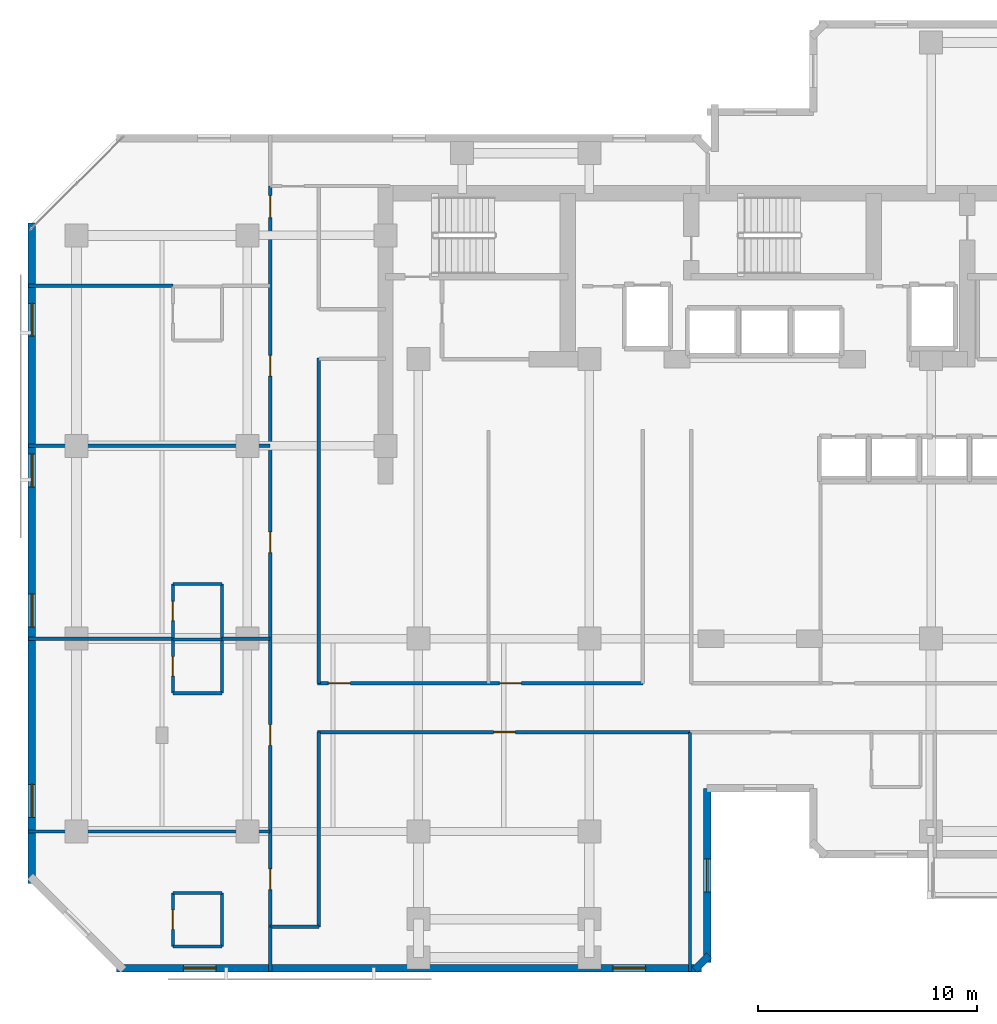
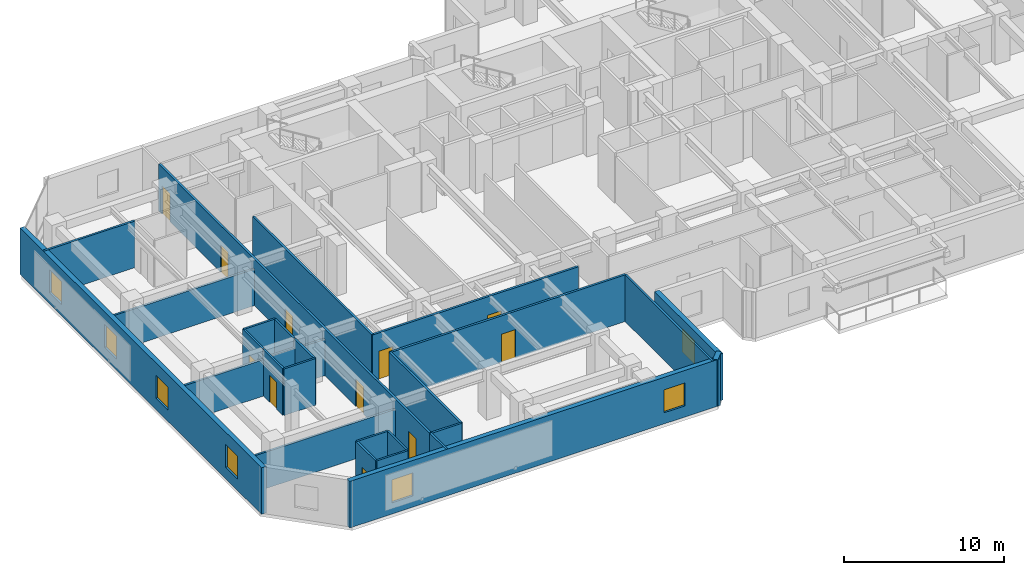
# One storey, part 5 of 11: 28 walls, 11 doors, 7 windows, 18 openings.
"""IFC4 building model written with IfcOpenShell, lengths in metres."""

from ifc_helpers import new_model, si_unit, direction, frame, frame_2d, origin, place, context, subcontext, project, spatial, rectangle, extrude, material, layer, layer_set, type_object, element, fill, save


model = new_model("IFC4")

# Units and contexts
model_context = context("Model", 3, precision=1e-05, world=origin(), true_north=direction((0.0, 1.0)))
body_context = subcontext(model_context, "Body", "Model", "MODEL_VIEW")
ifc_project = project(units=[si_unit("LENGTHUNIT", "METRE"), si_unit("AREAUNIT", "SQUARE_METRE"), si_unit("VOLUMEUNIT", "CUBIC_METRE"), si_unit("PLANEANGLEUNIT", "RADIAN"), si_unit("MASSUNIT", "GRAM", prefix="KILO")], contexts=[model_context])

# Site, building, storey
site_placement = place(None, origin())
site = spatial("IfcSite", under=ifc_project, at=site_placement, CompositionType="ELEMENT")
building_placement = place(site_placement, origin())
building = spatial("IfcBuilding", under=site, at=building_placement, Name="Kestravale Grand Hotel", CompositionType="ELEMENT")
storey_placement = place(building_placement, frame((0.0, 0.0, 157.39990234375)))
storey = spatial("IfcBuildingStorey", under=building, at=storey_placement, Name="L39", CompositionType="ELEMENT", Elevation=157.39990234375)

# Wall, openings, windows
ifc_material_1 = material(Name="Precast concrete f'c 45 MPa", Category="concrete")
ifc_layer_1 = layer(ifc_material_1, 0.340087890625)
ifc_layer_set_1 = layer_set([ifc_layer_1], Name="EW-PREC-340")
wall_type_1 = type_object("IfcWallType", Name="EW-PREC-340", PredefinedType="SOLIDWALL", material=ifc_layer_set_1)
wall_1_placement = place(storey_placement, frame((9.6298828125, 4.969970703125, 0.0), z_axis=(0.0, 0.0, 1.0), x_axis=(1.0, 0.0, 0.0)))
wall_1 = element("IfcWall", 1, at=wall_1_placement, inside=storey, type_object=wall_type_1, Name="L39 fluted precast facade wall 1", PredefinedType="SOLIDWALL", context=body_context, shape_type="SweptSolid", body=[
    extrude(rectangle(XDim=26.690185546875, YDim=0.340087890625, at=frame_2d((13.34521484375, 0.0))), origin(), (0.0, 0.0, 1.0), 3.550048828125),
])
opening_1_placement = place(wall_1_placement, frame((3.04833984375, 0.0, 0.85009765625)))
opening_1 = element("IfcOpeningElement", 2, at=opening_1_placement, cuts=wall_1, Name="Opening W-GUEST-1500", PredefinedType="OPENING", context=body_context, shape_type="SweptSolid", body=[
    extrude(rectangle(XDim=1.5, YDim=1.75, at=frame_2d((0.75, 0.875))), frame((0.0, 0.179931640625, 0.0), z_axis=(0.0, -1.0, 0.0), x_axis=(1.0, 0.0, 0.0)), (0.0, 0.0, 1.0), 0.360107421875),
])
opening_2_placement = place(wall_1_placement, frame((22.6416015625, 0.0, 0.85009765625)))
opening_2 = element("IfcOpeningElement", 3, at=opening_2_placement, cuts=wall_1, Name="Opening W-GUEST-1500", PredefinedType="OPENING", context=body_context, shape_type="SweptSolid", body=[
    extrude(rectangle(XDim=1.5, YDim=1.75, at=frame_2d((0.75, 0.875))), frame((0.0, 0.179931640625, 0.0), z_axis=(0.0, -1.0, 0.0), x_axis=(1.0, 0.0, 0.0)), (0.0, 0.0, 1.0), 0.360107421875),
])
ifc_material_2 = material(Name="Insulated low-E double glazing in aluminium frame", Category="aluminium")
window_type = type_object("IfcWindowType", Name="W-GUEST-1500", PartitioningType="SINGLE_PANEL", PredefinedType="WINDOW", material=ifc_material_2)
window_1_placement = place(opening_1_placement, origin())
window_1 = element("IfcWindow", 4, at=window_1_placement, inside=storey, type_object=window_type, Name="L39 exterior window 1.1", OverallHeight=1.75, OverallWidth=1.5, PartitioningType="SINGLE_PANEL", PredefinedType="WINDOW", context=body_context, shape_type="SweptSolid", body=[
    extrude(rectangle(XDim=1.5, YDim=1.75, at=frame_2d((0.75, 0.875))), frame((0.0, 0.030029296875, 0.0), z_axis=(0.0, -1.0, 0.0), x_axis=(1.0, 0.0, 0.0)), (0.0, 0.0, 1.0), 0.06005859375),
])
fill(opening_1, window_1)
window_2_placement = place(opening_2_placement, origin())
window_2 = element("IfcWindow", 5, at=window_2_placement, inside=storey, type_object=window_type, Name="L39 exterior window 1.2", OverallHeight=1.75, OverallWidth=1.5, PartitioningType="SINGLE_PANEL", PredefinedType="WINDOW", context=body_context, shape_type="SweptSolid", body=[
    extrude(rectangle(XDim=1.5, YDim=1.75, at=frame_2d((0.75, 0.875))), frame((0.0, 0.030029296875, 0.0), z_axis=(0.0, -1.0, 0.0), x_axis=(1.0, 0.0, 0.0)), (0.0, 0.0, 1.0), 0.06005859375),
])
fill(opening_2, window_2)

# Wall
wall_2_placement = place(storey_placement, frame((36.00146484375, 4.891845703125, 0.0), z_axis=(0.0, 0.0, 1.0), x_axis=(0.707106781187, 0.707106781187, 0.0)))
element("IfcWall", 6, at=wall_2_placement, inside=storey, type_object=wall_type_1, Name="L39 fluted precast facade wall 2", PredefinedType="SOLIDWALL", context=body_context, shape_type="SweptSolid", body=[
    extrude(rectangle(XDim=0.9287109375, YDim=0.340087890625, at=frame_2d((0.46435546875, 0.0))), origin(), (0.0, 0.0, 1.0), 3.550048828125),
])

# Wall, opening, window
wall_3_placement = place(storey_placement, frame((36.580078125, 5.22998046875, 0.0), z_axis=(0.0, 0.0, 1.0), x_axis=(0.0, 1.0, 0.0)))
wall_3 = element("IfcWall", 7, at=wall_3_placement, inside=storey, type_object=wall_type_1, Name="L39 fluted precast facade wall 3", PredefinedType="SOLIDWALL", context=body_context, shape_type="SweptSolid", body=[
    extrude(rectangle(XDim=7.93994140625, YDim=0.340087890625, at=frame_2d((3.969970703125, 0.0))), origin(), (0.0, 0.0, 1.0), 3.550048828125),
])
opening_3_placement = place(wall_3_placement, frame((3.219970703125, 0.0, 0.85009765625)))
opening_3 = element("IfcOpeningElement", 8, at=opening_3_placement, cuts=wall_3, Name="Opening W-GUEST-1500", PredefinedType="OPENING", context=body_context, shape_type="SweptSolid", body=[
    extrude(rectangle(XDim=1.5, YDim=1.75, at=frame_2d((0.75, 0.875))), frame((0.0, 0.179931640625, 0.0), z_axis=(0.0, -1.0, 0.0), x_axis=(1.0, 0.0, 0.0)), (0.0, 0.0, 1.0), 0.360107421875),
])
window_3_placement = place(opening_3_placement, origin())
window_3 = element("IfcWindow", 9, at=window_3_placement, inside=storey, type_object=window_type, Name="L39 exterior window 3.1", OverallHeight=1.75, OverallWidth=1.5, PartitioningType="SINGLE_PANEL", PredefinedType="WINDOW", context=body_context, shape_type="SweptSolid", body=[
    extrude(rectangle(XDim=1.5, YDim=1.75, at=frame_2d((0.75, 0.875))), frame((0.0, 0.030029296875, 0.0), z_axis=(0.0, -1.0, 0.0), x_axis=(1.0, 0.0, 0.0)), (0.0, 0.0, 1.0), 0.06005859375),
])
fill(opening_3, window_3)

# Wall, openings, windows
wall_4_placement = place(storey_placement, frame((5.77001953125, 38.969970703125, 0.0), z_axis=(0.0, 0.0, 1.0), x_axis=(0.0, -1.0, 0.0)))
wall_4 = element("IfcWall", 10, at=wall_4_placement, inside=storey, type_object=wall_type_1, Name="L39 fluted precast facade wall 19", PredefinedType="SOLIDWALL", context=body_context, shape_type="SweptSolid", body=[
    extrude(rectangle(XDim=30.139892578125, YDim=0.340087890625, at=frame_2d((15.06982421875, 0.0))), origin(), (0.0, 0.0, 1.0), 3.550048828125),
])
opening_4_placement = place(wall_4_placement, frame((3.66748046875, 0.0, 0.85009765625)))
opening_4 = element("IfcOpeningElement", 11, at=opening_4_placement, cuts=wall_4, Name="Opening W-GUEST-1500", PredefinedType="OPENING", context=body_context, shape_type="SweptSolid", body=[
    extrude(rectangle(XDim=1.5, YDim=1.75, at=frame_2d((0.75, 0.875))), frame((0.0, 0.179931640625, 0.0), z_axis=(0.0, -1.0, 0.0), x_axis=(1.0, 0.0, 0.0)), (0.0, 0.0, 1.0), 0.360107421875),
])
opening_5_placement = place(wall_4_placement, frame((10.552490234375, 0.0, 0.85009765625)))
opening_5 = element("IfcOpeningElement", 12, at=opening_5_placement, cuts=wall_4, Name="Opening W-GUEST-1500", PredefinedType="OPENING", context=body_context, shape_type="SweptSolid", body=[
    extrude(rectangle(XDim=1.5, YDim=1.75, at=frame_2d((0.75, 0.875))), frame((0.0, 0.179931640625, 0.0), z_axis=(0.0, -1.0, 0.0), x_axis=(1.0, 0.0, 0.0)), (0.0, 0.0, 1.0), 0.360107421875),
])
opening_6_placement = place(wall_4_placement, frame((16.9375, 0.0, 0.85009765625)))
opening_6 = element("IfcOpeningElement", 13, at=opening_6_placement, cuts=wall_4, Name="Opening W-GUEST-1500", PredefinedType="OPENING", context=body_context, shape_type="SweptSolid", body=[
    extrude(rectangle(XDim=1.5, YDim=1.75, at=frame_2d((0.75, 0.875))), frame((0.0, 0.179931640625, 0.0), z_axis=(0.0, -1.0, 0.0), x_axis=(1.0, 0.0, 0.0)), (0.0, 0.0, 1.0), 0.360107421875),
])
opening_7_placement = place(wall_4_placement, frame((25.62255859375, 0.0, 0.85009765625)))
opening_7 = element("IfcOpeningElement", 14, at=opening_7_placement, cuts=wall_4, Name="Opening W-GUEST-1500", PredefinedType="OPENING", context=body_context, shape_type="SweptSolid", body=[
    extrude(rectangle(XDim=1.5, YDim=1.75, at=frame_2d((0.75, 0.875))), frame((0.0, 0.179931640625, 0.0), z_axis=(0.0, -1.0, 0.0), x_axis=(1.0, 0.0, 0.0)), (0.0, 0.0, 1.0), 0.360107421875),
])
window_4_placement = place(opening_4_placement, origin())
window_4 = element("IfcWindow", 15, at=window_4_placement, inside=storey, type_object=window_type, Name="L39 exterior window 19.1", OverallHeight=1.75, OverallWidth=1.5, PartitioningType="SINGLE_PANEL", PredefinedType="WINDOW", context=body_context, shape_type="SweptSolid", body=[
    extrude(rectangle(XDim=1.5, YDim=1.75, at=frame_2d((0.75, 0.875))), frame((0.0, 0.030029296875, 0.0), z_axis=(0.0, -1.0, 0.0), x_axis=(1.0, 0.0, 0.0)), (0.0, 0.0, 1.0), 0.06005859375),
])
fill(opening_4, window_4)
window_5_placement = place(opening_5_placement, origin())
window_5 = element("IfcWindow", 16, at=window_5_placement, inside=storey, type_object=window_type, Name="L39 exterior window 19.2", OverallHeight=1.75, OverallWidth=1.5, PartitioningType="SINGLE_PANEL", PredefinedType="WINDOW", context=body_context, shape_type="SweptSolid", body=[
    extrude(rectangle(XDim=1.5, YDim=1.75, at=frame_2d((0.75, 0.875))), frame((0.0, 0.030029296875, 0.0), z_axis=(0.0, -1.0, 0.0), x_axis=(1.0, 0.0, 0.0)), (0.0, 0.0, 1.0), 0.06005859375),
])
fill(opening_5, window_5)
window_6_placement = place(opening_6_placement, origin())
window_6 = element("IfcWindow", 17, at=window_6_placement, inside=storey, type_object=window_type, Name="L39 exterior window 19.3", OverallHeight=1.75, OverallWidth=1.5, PartitioningType="SINGLE_PANEL", PredefinedType="WINDOW", context=body_context, shape_type="SweptSolid", body=[
    extrude(rectangle(XDim=1.5, YDim=1.75, at=frame_2d((0.75, 0.875))), frame((0.0, 0.030029296875, 0.0), z_axis=(0.0, -1.0, 0.0), x_axis=(1.0, 0.0, 0.0)), (0.0, 0.0, 1.0), 0.06005859375),
])
fill(opening_6, window_6)
window_7_placement = place(opening_7_placement, origin())
window_7 = element("IfcWindow", 18, at=window_7_placement, inside=storey, type_object=window_type, Name="L39 exterior window 19.4", OverallHeight=1.75, OverallWidth=1.5, PartitioningType="SINGLE_PANEL", PredefinedType="WINDOW", context=body_context, shape_type="SweptSolid", body=[
    extrude(rectangle(XDim=1.5, YDim=1.75, at=frame_2d((0.75, 0.875))), frame((0.0, 0.030029296875, 0.0), z_axis=(0.0, -1.0, 0.0), x_axis=(1.0, 0.0, 0.0)), (0.0, 0.0, 1.0), 0.06005859375),
])
fill(opening_7, window_7)

# Wall, openings, doors
ifc_material_3 = material(Name="Acoustic fire-rated gypsum board partition", Category="other")
ifc_layer_2 = layer(ifc_material_3, 0.159912109375)
ifc_layer_set_2 = layer_set([ifc_layer_2], Name="IW-CORR-160")
wall_type_2 = type_object("IfcWallType", Name="IW-CORR-160", PredefinedType="PARTITIONING", material=ifc_layer_set_2)
wall_5_placement = place(storey_placement, frame((18.800048828125, 17.9599609375, 0.0), z_axis=(0.0, 0.0, 1.0), x_axis=(1.0, 0.0, 0.0)))
wall_5 = element("IfcWall", 19, at=wall_5_placement, inside=storey, type_object=wall_type_2, Name="W-L39-CW-N", PredefinedType="PARTITIONING", context=body_context, shape_type="SweptSolid", body=[
    extrude(rectangle(XDim=14.849853515625, YDim=0.159912109375, at=frame_2d((7.4248046875, 0.0))), origin(), (0.0, 0.0, 1.0), 3.550048828125),
])
opening_8_placement = place(wall_5_placement, frame((0.5, 0.0, 0.0)))
opening_8 = element("IfcOpeningElement", 20, at=opening_8_placement, cuts=wall_5, Name="Opening D-GUEST-1000", PredefinedType="OPENING", context=body_context, shape_type="SweptSolid", body=[
    extrude(rectangle(XDim=1.0, YDim=2.14990234375, at=frame_2d((0.5, 1.074951171875))), frame((0.0, 0.08984375, 0.0), z_axis=(0.0, -1.0, 0.0), x_axis=(1.0, 0.0, 0.0)), (0.0, 0.0, 1.0), 0.179931640625),
])
opening_9_placement = place(wall_5_placement, frame((8.300048828125, 0.0, 0.0)))
opening_9 = element("IfcOpeningElement", 21, at=opening_9_placement, cuts=wall_5, Name="Opening D-GUEST-1000", PredefinedType="OPENING", context=body_context, shape_type="SweptSolid", body=[
    extrude(rectangle(XDim=1.0, YDim=2.14990234375, at=frame_2d((0.5, 1.074951171875))), frame((0.0, 0.08984375, 0.0), z_axis=(0.0, -1.0, 0.0), x_axis=(1.0, 0.0, 0.0)), (0.0, 0.0, 1.0), 0.179931640625),
])
ifc_material_4 = material(Name="Accessible walnut veneer hotel entrance fire door", Category="wood")
door_type_1 = type_object("IfcDoorType", Name="D-GUEST-1000", OperationType="NOTDEFINED", PredefinedType="DOOR", material=ifc_material_4)
door_1_placement = place(opening_8_placement, origin())
door_1 = element("IfcDoor", 22, at=door_1_placement, inside=storey, type_object=door_type_1, Name="D-L39-RECL-W1", OperationType="SINGLE_SWING_RIGHT", OverallHeight=2.14990234375, OverallWidth=1.0, PredefinedType="DOOR", context=body_context, shape_type="SweptSolid", body=[
    extrude(rectangle(XDim=1.0, YDim=2.14990234375, at=frame_2d((0.5, 1.074951171875))), frame((0.0, 0.02490234375, 0.0), z_axis=(0.0, -1.0, 0.0), x_axis=(1.0, 0.0, 0.0)), (0.0, 0.0, 1.0), 0.050048828125),
])
fill(opening_8, door_1)
door_2_placement = place(opening_9_placement, origin())
door_2 = element("IfcDoor", 23, at=door_2_placement, inside=storey, type_object=door_type_1, Name="D-L39-RECL-W2", OperationType="SINGLE_SWING_LEFT", OverallHeight=2.14990234375, OverallWidth=1.0, PredefinedType="DOOR", context=body_context, shape_type="SweptSolid", body=[
    extrude(rectangle(XDim=1.0, YDim=2.14990234375, at=frame_2d((0.5, 1.074951171875))), frame((0.0, 0.02490234375, 0.0), z_axis=(0.0, -1.0, 0.0), x_axis=(1.0, 0.0, 0.0)), (0.0, 0.0, 1.0), 0.050048828125),
])
fill(opening_9, door_2)

# Wall, opening, door
wall_6_placement = place(storey_placement, frame((18.800048828125, 15.739990234375, 0.0), z_axis=(0.0, 0.0, 1.0), x_axis=(1.0, 0.0, 0.0)))
wall_6 = element("IfcWall", 24, at=wall_6_placement, inside=storey, type_object=wall_type_2, Name="W-L39-CW-S", PredefinedType="PARTITIONING", context=body_context, shape_type="SweptSolid", body=[
    extrude(rectangle(XDim=17.0, YDim=0.159912109375, at=frame_2d((8.5, 0.0))), origin(), (0.0, 0.0, 1.0), 3.550048828125),
])
opening_10_placement = place(wall_6_placement, frame((8.030029296875, 0.0, 0.0)))
opening_10 = element("IfcOpeningElement", 25, at=opening_10_placement, cuts=wall_6, Name="Opening D-GUEST-1000", PredefinedType="OPENING", context=body_context, shape_type="SweptSolid", body=[
    extrude(rectangle(XDim=1.0, YDim=2.14990234375, at=frame_2d((0.5, 1.074951171875))), frame((0.0, 0.08984375, 0.0), z_axis=(0.0, -1.0, 0.0), x_axis=(1.0, 0.0, 0.0)), (0.0, 0.0, 1.0), 0.179931640625),
])
door_3_placement = place(opening_10_placement, origin())
door_3 = element("IfcDoor", 26, at=door_3_placement, inside=storey, type_object=door_type_1, Name="D-L39-AMW", OperationType="SINGLE_SWING_RIGHT", OverallHeight=2.14990234375, OverallWidth=1.0, PredefinedType="DOOR", context=body_context, shape_type="SweptSolid", body=[
    extrude(rectangle(XDim=1.0, YDim=2.14990234375, at=frame_2d((0.5, 1.074951171875))), frame((0.0, 0.02490234375, 0.0), z_axis=(0.0, -1.0, 0.0), x_axis=(1.0, 0.0, 0.0)), (0.0, 0.0, 1.0), 0.050048828125),
])
fill(opening_10, door_3)

# Wall, openings, doors
wall_7_placement = place(storey_placement, frame((16.639892578125, 6.85009765625, 0.0), z_axis=(0.0, 0.0, 1.0), x_axis=(0.0, 1.0, 0.0)))
wall_7 = element("IfcWall", 27, at=wall_7_placement, inside=storey, type_object=wall_type_2, Name="W-L39-SW-W", PredefinedType="PARTITIONING", context=body_context, shape_type="SweptSolid", body=[
    extrude(rectangle(XDim=33.7998046875, YDim=0.159912109375, at=frame_2d((16.89990234375, 0.0))), origin(), (0.0, 0.0, 1.0), 3.550048828125),
])
opening_11_placement = place(wall_7_placement, frame((1.699951171875, 0.0, 0.0)))
opening_11 = element("IfcOpeningElement", 28, at=opening_11_placement, cuts=wall_7, Name="Opening D-GUEST-950", PredefinedType="OPENING", context=body_context, shape_type="SweptSolid", body=[
    extrude(rectangle(XDim=0.949951171875, YDim=2.10009765625, at=frame_2d((0.47509765625, 1.050048828125))), frame((0.0, 0.08984375, 0.0), z_axis=(0.0, -1.0, 0.0), x_axis=(1.0, 0.0, 0.0)), (0.0, 0.0, 1.0), 0.179931640625),
])
opening_12_placement = place(wall_7_placement, frame((8.27490234375, 0.0, 0.0)))
opening_12 = element("IfcOpeningElement", 29, at=opening_12_placement, cuts=wall_7, Name="Opening D-GUEST-950", PredefinedType="OPENING", context=body_context, shape_type="SweptSolid", body=[
    extrude(rectangle(XDim=0.949951171875, YDim=2.10009765625, at=frame_2d((0.47509765625, 1.050048828125))), frame((0.0, 0.08984375, 0.0), z_axis=(0.0, -1.0, 0.0), x_axis=(1.0, 0.0, 0.0)), (0.0, 0.0, 1.0), 0.179931640625),
])
opening_13_placement = place(wall_7_placement, frame((17.074951171875, 0.0, 0.0)))
opening_13 = element("IfcOpeningElement", 30, at=opening_13_placement, cuts=wall_7, Name="Opening D-GUEST-950", PredefinedType="OPENING", context=body_context, shape_type="SweptSolid", body=[
    extrude(rectangle(XDim=0.949951171875, YDim=2.10009765625, at=frame_2d((0.47509765625, 1.050048828125))), frame((0.0, 0.08984375, 0.0), z_axis=(0.0, -1.0, 0.0), x_axis=(1.0, 0.0, 0.0)), (0.0, 0.0, 1.0), 0.179931640625),
])
opening_14_placement = place(wall_7_placement, frame((25.125, 0.0, 0.0)))
opening_14 = element("IfcOpeningElement", 31, at=opening_14_placement, cuts=wall_7, Name="Opening D-GUEST-950", PredefinedType="OPENING", context=body_context, shape_type="SweptSolid", body=[
    extrude(rectangle(XDim=0.949951171875, YDim=2.10009765625, at=frame_2d((0.47509765625, 1.050048828125))), frame((0.0, 0.08984375, 0.0), z_axis=(0.0, -1.0, 0.0), x_axis=(1.0, 0.0, 0.0)), (0.0, 0.0, 1.0), 0.179931640625),
])
opening_15_placement = place(wall_7_placement, frame((32.360107421875, 0.0, 0.0)))
opening_15 = element("IfcOpeningElement", 32, at=opening_15_placement, cuts=wall_7, Name="Opening D-GUEST-1000", PredefinedType="OPENING", context=body_context, shape_type="SweptSolid", body=[
    extrude(rectangle(XDim=1.0, YDim=2.14990234375, at=frame_2d((0.5, 1.074951171875))), frame((0.0, 0.08984375, 0.0), z_axis=(0.0, -1.0, 0.0), x_axis=(1.0, 0.0, 0.0)), (0.0, 0.0, 1.0), 0.179931640625),
])
door_4_placement = place(opening_15_placement, origin())
door_4 = element("IfcDoor", 33, at=door_4_placement, inside=storey, type_object=door_type_1, Name="D-L39-AMWW", OperationType="SINGLE_SWING_RIGHT", OverallHeight=2.14990234375, OverallWidth=1.0, PredefinedType="DOOR", context=body_context, shape_type="SweptSolid", body=[
    extrude(rectangle(XDim=1.0, YDim=2.14990234375, at=frame_2d((0.5, 1.074951171875))), frame((0.0, 0.02490234375, 0.0), z_axis=(0.0, -1.0, 0.0), x_axis=(1.0, 0.0, 0.0)), (0.0, 0.0, 1.0), 0.050048828125),
])
fill(opening_15, door_4)
ifc_material_5 = material(Name="Walnut veneer hotel guestroom entrance fire door", Category="wood")
door_type_2 = type_object("IfcDoorType", Name="D-GUEST-950", OperationType="NOTDEFINED", PredefinedType="DOOR", material=ifc_material_5)
door_5_placement = place(opening_11_placement, origin())
door_5 = element("IfcDoor", 34, at=door_5_placement, inside=storey, type_object=door_type_2, Name="D-L39-U02-ENT", OperationType="SINGLE_SWING_LEFT", OverallHeight=2.10009765625, OverallWidth=0.949951171875, PredefinedType="DOOR", context=body_context, shape_type="SweptSolid", body=[
    extrude(rectangle(XDim=0.949951171875, YDim=2.10009765625, at=frame_2d((0.47509765625, 1.050048828125))), frame((0.0, 0.02490234375, 0.0), z_axis=(0.0, -1.0, 0.0), x_axis=(1.0, 0.0, 0.0)), (0.0, 0.0, 1.0), 0.050048828125),
])
fill(opening_11, door_5)
door_6_placement = place(opening_12_placement, origin())
door_6 = element("IfcDoor", 35, at=door_6_placement, inside=storey, type_object=door_type_2, Name="D-L39-U03-ENT", OperationType="SINGLE_SWING_LEFT", OverallHeight=2.10009765625, OverallWidth=0.949951171875, PredefinedType="DOOR", context=body_context, shape_type="SweptSolid", body=[
    extrude(rectangle(XDim=0.949951171875, YDim=2.10009765625, at=frame_2d((0.47509765625, 1.050048828125))), frame((0.0, 0.02490234375, 0.0), z_axis=(0.0, -1.0, 0.0), x_axis=(1.0, 0.0, 0.0)), (0.0, 0.0, 1.0), 0.050048828125),
])
fill(opening_12, door_6)
door_7_placement = place(opening_13_placement, origin())
door_7 = element("IfcDoor", 36, at=door_7_placement, inside=storey, type_object=door_type_2, Name="D-L39-U04-ENT", OperationType="SINGLE_SWING_LEFT", OverallHeight=2.10009765625, OverallWidth=0.949951171875, PredefinedType="DOOR", context=body_context, shape_type="SweptSolid", body=[
    extrude(rectangle(XDim=0.949951171875, YDim=2.10009765625, at=frame_2d((0.47509765625, 1.050048828125))), frame((0.0, 0.02490234375, 0.0), z_axis=(0.0, -1.0, 0.0), x_axis=(1.0, 0.0, 0.0)), (0.0, 0.0, 1.0), 0.050048828125),
])
fill(opening_13, door_7)
door_8_placement = place(opening_14_placement, origin())
door_8 = element("IfcDoor", 37, at=door_8_placement, inside=storey, type_object=door_type_2, Name="D-L39-U05-ENT", OperationType="SINGLE_SWING_LEFT", OverallHeight=2.10009765625, OverallWidth=0.949951171875, PredefinedType="DOOR", context=body_context, shape_type="SweptSolid", body=[
    extrude(rectangle(XDim=0.949951171875, YDim=2.10009765625, at=frame_2d((0.47509765625, 1.050048828125))), frame((0.0, 0.02490234375, 0.0), z_axis=(0.0, -1.0, 0.0), x_axis=(1.0, 0.0, 0.0)), (0.0, 0.0, 1.0), 0.050048828125),
])
fill(opening_14, door_8)

# Wall
wall_8_placement = place(storey_placement, frame((18.860107421875, 6.85009765625, 0.0), z_axis=(0.0, 0.0, 1.0), x_axis=(0.0, 1.0, 0.0)))
element("IfcWall", 38, at=wall_8_placement, inside=storey, type_object=wall_type_2, Name="W-L39-SW-E", PredefinedType="PARTITIONING", context=body_context, shape_type="SweptSolid", body=[
    extrude(rectangle(XDim=8.889892578125, YDim=0.159912109375, at=frame_2d((4.44482421875, 0.0))), origin(), (0.0, 0.0, 1.0), 3.550048828125),
])

# Wall, opening, door
ifc_material_6 = material(Name="Moisture-resistant tile-backer plumbing chase wall", Category="other")
ifc_layer_3 = layer(ifc_material_6, 0.139892578125)
ifc_layer_set_3 = layer_set([ifc_layer_3], Name="IW-PLB-140")
wall_type_3 = type_object("IfcWallType", Name="IW-PLB-140", PredefinedType="PLUMBINGWALL", material=ifc_layer_set_3)
wall_9_placement = place(storey_placement, frame((12.199951171875, 5.949951171875, 0.0), z_axis=(0.0, 0.0, 1.0), x_axis=(0.0, 1.0, 0.0)))
wall_9 = element("IfcWall", 39, at=wall_9_placement, inside=storey, type_object=wall_type_3, Name="W-L39-U02-BW", PredefinedType="PLUMBINGWALL", context=body_context, shape_type="SweptSolid", body=[
    extrude(rectangle(XDim=2.449951171875, YDim=0.139892578125, at=frame_2d((1.22509765625, 0.0))), origin(), (0.0, 0.0, 1.0), 3.550048828125),
])
opening_16_placement = place(wall_9_placement, frame((0.784912109375, 0.0, 0.0)))
opening_16 = element("IfcOpeningElement", 40, at=opening_16_placement, cuts=wall_9, Name="Opening D-BATH-880", PredefinedType="OPENING", context=body_context, shape_type="SweptSolid", body=[
    extrude(rectangle(XDim=0.8798828125, YDim=2.050048828125, at=frame_2d((0.43994140625, 1.02490234375))), frame((0.0, 0.079833984375, 0.0), z_axis=(0.0, -1.0, 0.0), x_axis=(1.0, 0.0, 0.0)), (0.0, 0.0, 1.0), 0.159912109375),
])
ifc_material_7 = material(Name="Moisture-sealed walnut en-suite bathroom door", Category="wood")
door_type_3 = type_object("IfcDoorType", Name="D-BATH-880", OperationType="NOTDEFINED", PredefinedType="DOOR", material=ifc_material_7)
door_9_placement = place(opening_16_placement, origin())
door_9 = element("IfcDoor", 41, at=door_9_placement, inside=storey, type_object=door_type_3, Name="D-L39-U02-BATH", OperationType="SINGLE_SWING_RIGHT", OverallHeight=2.050048828125, OverallWidth=0.8798828125, PredefinedType="DOOR", context=body_context, shape_type="SweptSolid", body=[
    extrude(rectangle(XDim=0.8798828125, YDim=2.050048828125, at=frame_2d((0.43994140625, 1.02490234375))), frame((0.0, 0.02490234375, 0.0), z_axis=(0.0, -1.0, 0.0), x_axis=(1.0, 0.0, 0.0)), (0.0, 0.0, 1.0), 0.050048828125),
])
fill(opening_16, door_9)

# Walls
wall_10_placement = place(storey_placement, frame((14.449951171875, 5.949951171875, 0.0), z_axis=(0.0, 0.0, 1.0), x_axis=(0.0, 1.0, 0.0)))
element("IfcWall", 42, at=wall_10_placement, inside=storey, type_object=wall_type_3, Name="W-L39-U02-BE", PredefinedType="PLUMBINGWALL", context=body_context, shape_type="SweptSolid", body=[
    extrude(rectangle(XDim=2.449951171875, YDim=0.139892578125, at=frame_2d((1.22509765625, 0.0))), origin(), (0.0, 0.0, 1.0), 3.550048828125),
])
for number, where, z_axis, x_axis, name in (
    (43, (12.199951171875, 5.949951171875, 0.0), (0.0, 0.0, 1.0), (1.0, 0.0, 0.0), "W-L39-U02-BS"),
    (44, (12.199951171875, 8.39990234375, 0.0), (0.0, 0.0, 1.0), (1.0, 0.0, 0.0), "W-L39-U02-BN"),
):
    element("IfcWall", number, at=place(storey_placement, frame(where, z_axis=z_axis, x_axis=x_axis)), inside=storey, type_object=wall_type_3, Name=name, PredefinedType="PLUMBINGWALL", context=body_context, shape_type="SweptSolid", body=[
        extrude(rectangle(XDim=2.25, YDim=0.139892578125, at=frame_2d((1.125, 0.0))), origin(), (0.0, 0.0, 1.0), 3.550048828125),
    ])

# Wall, opening, door
wall_11_placement = place(storey_placement, frame((12.199951171875, 17.510009765625, 0.0), z_axis=(0.0, 0.0, 1.0), x_axis=(0.0, 1.0, 0.0)))
wall_11 = element("IfcWall", 45, at=wall_11_placement, inside=storey, type_object=wall_type_3, Name="W-L39-U03-BW", PredefinedType="PLUMBINGWALL", context=body_context, shape_type="SweptSolid", body=[
    extrude(rectangle(XDim=2.449951171875, YDim=0.139892578125, at=frame_2d((1.22509765625, 0.0))), origin(), (0.0, 0.0, 1.0), 3.550048828125),
])
opening_17_placement = place(wall_11_placement, frame((0.784912109375, 0.0, 0.0)))
opening_17 = element("IfcOpeningElement", 46, at=opening_17_placement, cuts=wall_11, Name="Opening D-BATH-880", PredefinedType="OPENING", context=body_context, shape_type="SweptSolid", body=[
    extrude(rectangle(XDim=0.8798828125, YDim=2.050048828125, at=frame_2d((0.43994140625, 1.02490234375))), frame((0.0, 0.079833984375, 0.0), z_axis=(0.0, -1.0, 0.0), x_axis=(1.0, 0.0, 0.0)), (0.0, 0.0, 1.0), 0.159912109375),
])
door_10_placement = place(opening_17_placement, origin())
door_10 = element("IfcDoor", 47, at=door_10_placement, inside=storey, type_object=door_type_3, Name="D-L39-U03-BATH", OperationType="SINGLE_SWING_RIGHT", OverallHeight=2.050048828125, OverallWidth=0.8798828125, PredefinedType="DOOR", context=body_context, shape_type="SweptSolid", body=[
    extrude(rectangle(XDim=0.8798828125, YDim=2.050048828125, at=frame_2d((0.43994140625, 1.02490234375))), frame((0.0, 0.02490234375, 0.0), z_axis=(0.0, -1.0, 0.0), x_axis=(1.0, 0.0, 0.0)), (0.0, 0.0, 1.0), 0.050048828125),
])
fill(opening_17, door_10)

# Walls
wall_12_placement = place(storey_placement, frame((14.449951171875, 17.510009765625, 0.0), z_axis=(0.0, 0.0, 1.0), x_axis=(0.0, 1.0, 0.0)))
element("IfcWall", 48, at=wall_12_placement, inside=storey, type_object=wall_type_3, Name="W-L39-U03-BE", PredefinedType="PLUMBINGWALL", context=body_context, shape_type="SweptSolid", body=[
    extrude(rectangle(XDim=2.449951171875, YDim=0.139892578125, at=frame_2d((1.22509765625, 0.0))), origin(), (0.0, 0.0, 1.0), 3.550048828125),
])
wall_13_placement = place(storey_placement, frame((12.199951171875, 17.510009765625, 0.0), z_axis=(0.0, 0.0, 1.0), x_axis=(1.0, 0.0, 0.0)))
element("IfcWall", 49, at=wall_13_placement, inside=storey, type_object=wall_type_3, Name="W-L39-U03-BS", PredefinedType="PLUMBINGWALL", context=body_context, shape_type="SweptSolid", body=[
    extrude(rectangle(XDim=2.25, YDim=0.139892578125, at=frame_2d((1.125, 0.0))), origin(), (0.0, 0.0, 1.0), 3.550048828125),
])
wall_14_placement = place(storey_placement, frame((12.199951171875, 19.9599609375, 0.0), z_axis=(0.0, 0.0, 1.0), x_axis=(1.0, 0.0, 0.0)))
element("IfcWall", 50, at=wall_14_placement, inside=storey, type_object=wall_type_3, Name="W-L39-U03-BN", PredefinedType="PLUMBINGWALL", context=body_context, shape_type="SweptSolid", body=[
    extrude(rectangle(XDim=2.25, YDim=0.139892578125, at=frame_2d((1.125, 0.0))), origin(), (0.0, 0.0, 1.0), 2.900146484375),
])

# Wall, opening, door
wall_15_placement = place(storey_placement, frame((12.199951171875, 20.0400390625, 0.0), z_axis=(0.0, 0.0, 1.0), x_axis=(0.0, 1.0, 0.0)))
wall_15 = element("IfcWall", 51, at=wall_15_placement, inside=storey, type_object=wall_type_3, Name="W-L39-U04-BW", PredefinedType="PLUMBINGWALL", context=body_context, shape_type="SweptSolid", body=[
    extrude(rectangle(XDim=2.449951171875, YDim=0.139892578125, at=frame_2d((1.22509765625, 0.0))), origin(), (0.0, 0.0, 1.0), 3.550048828125),
])
opening_18_placement = place(wall_15_placement, frame((0.784912109375, 0.0, 0.0)))
opening_18 = element("IfcOpeningElement", 52, at=opening_18_placement, cuts=wall_15, Name="Opening D-BATH-880", PredefinedType="OPENING", context=body_context, shape_type="SweptSolid", body=[
    extrude(rectangle(XDim=0.8798828125, YDim=2.050048828125, at=frame_2d((0.43994140625, 1.02490234375))), frame((0.0, 0.079833984375, 0.0), z_axis=(0.0, -1.0, 0.0), x_axis=(1.0, 0.0, 0.0)), (0.0, 0.0, 1.0), 0.159912109375),
])
door_11_placement = place(opening_18_placement, origin())
door_11 = element("IfcDoor", 53, at=door_11_placement, inside=storey, type_object=door_type_3, Name="D-L39-U04-BATH", OperationType="SINGLE_SWING_RIGHT", OverallHeight=2.050048828125, OverallWidth=0.8798828125, PredefinedType="DOOR", context=body_context, shape_type="SweptSolid", body=[
    extrude(rectangle(XDim=0.8798828125, YDim=2.050048828125, at=frame_2d((0.43994140625, 1.02490234375))), frame((0.0, 0.02490234375, 0.0), z_axis=(0.0, -1.0, 0.0), x_axis=(1.0, 0.0, 0.0)), (0.0, 0.0, 1.0), 0.050048828125),
])
fill(opening_18, door_11)

# Walls
wall_16_placement = place(storey_placement, frame((14.449951171875, 20.0400390625, 0.0), z_axis=(0.0, 0.0, 1.0), x_axis=(0.0, 1.0, 0.0)))
element("IfcWall", 54, at=wall_16_placement, inside=storey, type_object=wall_type_3, Name="W-L39-U04-BE", PredefinedType="PLUMBINGWALL", context=body_context, shape_type="SweptSolid", body=[
    extrude(rectangle(XDim=2.449951171875, YDim=0.139892578125, at=frame_2d((1.22509765625, 0.0))), origin(), (0.0, 0.0, 1.0), 3.550048828125),
])
wall_17_placement = place(storey_placement, frame((12.199951171875, 22.489990234375, 0.0), z_axis=(0.0, 0.0, 1.0), x_axis=(1.0, 0.0, 0.0)))
element("IfcWall", 55, at=wall_17_placement, inside=storey, type_object=wall_type_3, Name="W-L39-U04-BN", PredefinedType="PLUMBINGWALL", context=body_context, shape_type="SweptSolid", body=[
    extrude(rectangle(XDim=2.25, YDim=0.139892578125, at=frame_2d((1.125, 0.0))), origin(), (0.0, 0.0, 1.0), 3.550048828125),
])
ifc_material_8 = material(Name="Double-stud STC 52 acoustic demising partition", Category="other")
ifc_layer_4 = layer(ifc_material_8, 0.14990234375)
ifc_layer_set_4 = layer_set([ifc_layer_4], Name="IW-UNIT-150")
wall_type_4 = type_object("IfcWallType", Name="IW-UNIT-150", PredefinedType="PARTITIONING", material=ifc_layer_set_4)
wall_18_placement = place(storey_placement, frame((16.639892578125, 6.85009765625, 0.0), z_axis=(0.0, 0.0, 1.0), x_axis=(1.0, 0.0, 0.0)))
element("IfcWall", 56, at=wall_18_placement, inside=storey, type_object=wall_type_4, Name="W-L39-SW-S", PredefinedType="PARTITIONING", context=body_context, shape_type="SweptSolid", body=[
    extrude(rectangle(XDim=2.22021484375, YDim=0.14990234375, at=frame_2d((1.110107421875, 0.0))), origin(), (0.0, 0.0, 1.0), 3.550048828125),
])
wall_19_placement = place(storey_placement, frame((18.860107421875, 17.9599609375, 0.0), z_axis=(0.0, 0.0, 1.0), x_axis=(0.0, 1.0, 0.0)))
element("IfcWall", 57, at=wall_19_placement, inside=storey, type_object=wall_type_4, Name="W-L39-RCLW-W", PredefinedType="PARTITIONING", context=body_context, shape_type="SweptSolid", body=[
    extrude(rectangle(XDim=14.840087890625, YDim=0.14990234375, at=frame_2d((7.419921875, 0.0))), origin(), (0.0, 0.0, 1.0), 3.550048828125),
])
wall_20_placement = place(storey_placement, frame((35.800048828125, 4.820068359375, 0.0), z_axis=(0.0, 0.0, 1.0), x_axis=(0.0, 1.0, 0.0)))
element("IfcWall", 58, at=wall_20_placement, inside=storey, type_object=wall_type_4, Name="W-L39-MID-S", PredefinedType="PARTITIONING", context=body_context, shape_type="SweptSolid", body=[
    extrude(rectangle(XDim=10.89990234375, YDim=0.14990234375, at=frame_2d((5.449951171875, 0.0))), origin(), (0.0, 0.0, 1.0), 3.550048828125),
])
wall_21_placement = place(storey_placement, frame((16.639892578125, 4.820068359375, 0.0), z_axis=(0.0, 0.0, 1.0), x_axis=(0.0, 1.0, 0.0)))
element("IfcWall", 59, at=wall_21_placement, inside=storey, type_object=wall_type_4, Name="W-L39-SW-EXT", PredefinedType="PARTITIONING", context=body_context, shape_type="SweptSolid", body=[
    extrude(rectangle(XDim=2.030029296875, YDim=0.14990234375, at=frame_2d((1.01513671875, 0.0))), origin(), (0.0, 0.0, 1.0), 3.550048828125),
])
wall_22_placement = place(storey_placement, frame((5.6201171875, 11.199951171875, 0.0), z_axis=(0.0, 0.0, 1.0), x_axis=(1.0, 0.0, 0.0)))
element("IfcWall", 60, at=wall_22_placement, inside=storey, type_object=wall_type_4, Name="W-L39-WW-1", PredefinedType="PARTITIONING", context=body_context, shape_type="SweptSolid", body=[
    extrude(rectangle(XDim=11.019775390625, YDim=0.14990234375, at=frame_2d((5.509765625, 0.0))), origin(), (0.0, 0.0, 1.0), 2.778076171875),
])
wall_23_placement = place(storey_placement, frame((5.6201171875, 20.0, 0.0), z_axis=(0.0, 0.0, 1.0), x_axis=(1.0, 0.0, 0.0)))
element("IfcWall", 61, at=wall_23_placement, inside=storey, type_object=wall_type_4, Name="W-L39-WW-2", PredefinedType="PARTITIONING", context=body_context, shape_type="SweptSolid", body=[
    extrude(rectangle(XDim=6.579833984375, YDim=0.14990234375, at=frame_2d((3.2900390625, 0.0))), origin(), (0.0, 0.0, 1.0), 2.778076171875),
])
wall_24_placement = place(storey_placement, frame((14.449951171875, 20.0, 0.0), z_axis=(0.0, 0.0, 1.0), x_axis=(1.0, 0.0, 0.0)))
element("IfcWall", 62, at=wall_24_placement, inside=storey, type_object=wall_type_4, Name="W-L39-WW-2", PredefinedType="PARTITIONING", context=body_context, shape_type="SweptSolid", body=[
    extrude(rectangle(XDim=2.18994140625, YDim=0.14990234375, at=frame_2d((1.094970703125, 0.0))), origin(), (0.0, 0.0, 1.0), 2.778076171875),
])
wall_25_placement = place(storey_placement, frame((5.6201171875, 28.800048828125, 0.0), z_axis=(0.0, 0.0, 1.0), x_axis=(1.0, 0.0, 0.0)))
element("IfcWall", 63, at=wall_25_placement, inside=storey, type_object=wall_type_4, Name="W-L39-WW-3", PredefinedType="PARTITIONING", context=body_context, shape_type="SweptSolid", body=[
    extrude(rectangle(XDim=11.019775390625, YDim=0.14990234375, at=frame_2d((5.509765625, 0.0))), origin(), (0.0, 0.0, 1.0), 2.778076171875),
])
wall_26_placement = place(storey_placement, frame((5.6201171875, 36.10009765625, 0.0), z_axis=(0.0, 0.0, 1.0), x_axis=(1.0, 0.0, 0.0)))
element("IfcWall", 64, at=wall_26_placement, inside=storey, type_object=wall_type_4, Name="W-L39-WW-4", PredefinedType="PARTITIONING", context=body_context, shape_type="SweptSolid", body=[
    extrude(rectangle(XDim=6.579833984375, YDim=0.14990234375, at=frame_2d((3.2900390625, 0.0))), origin(), (0.0, 0.0, 1.0), 3.550048828125),
])

save(model, "model.ifc")
